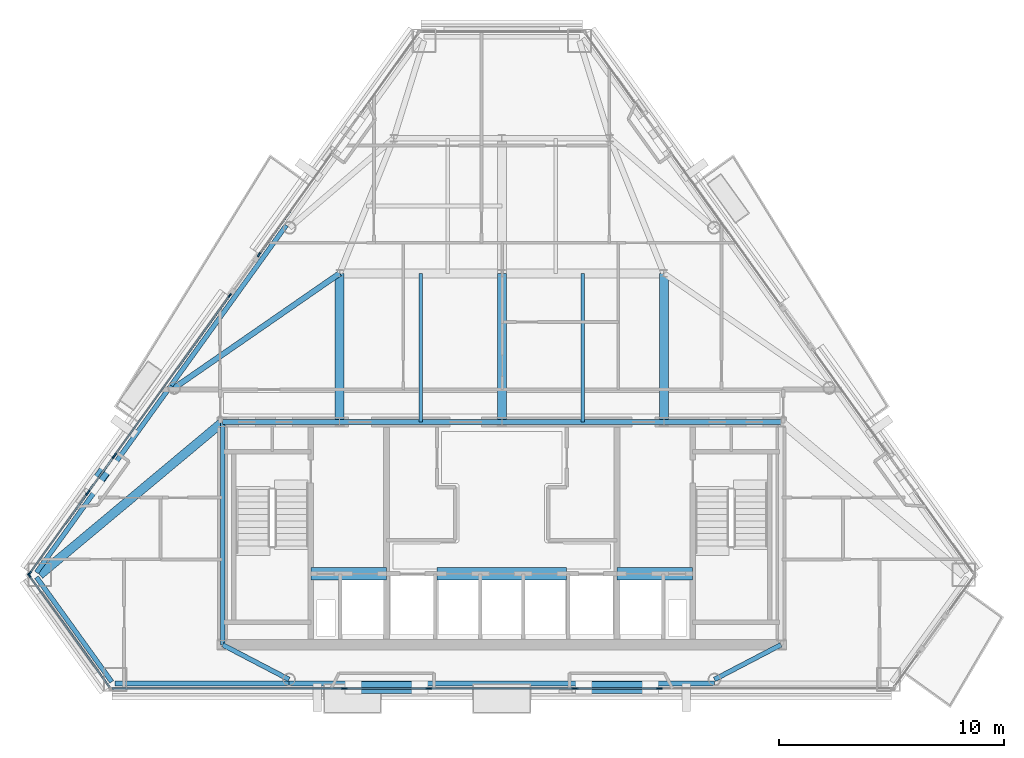
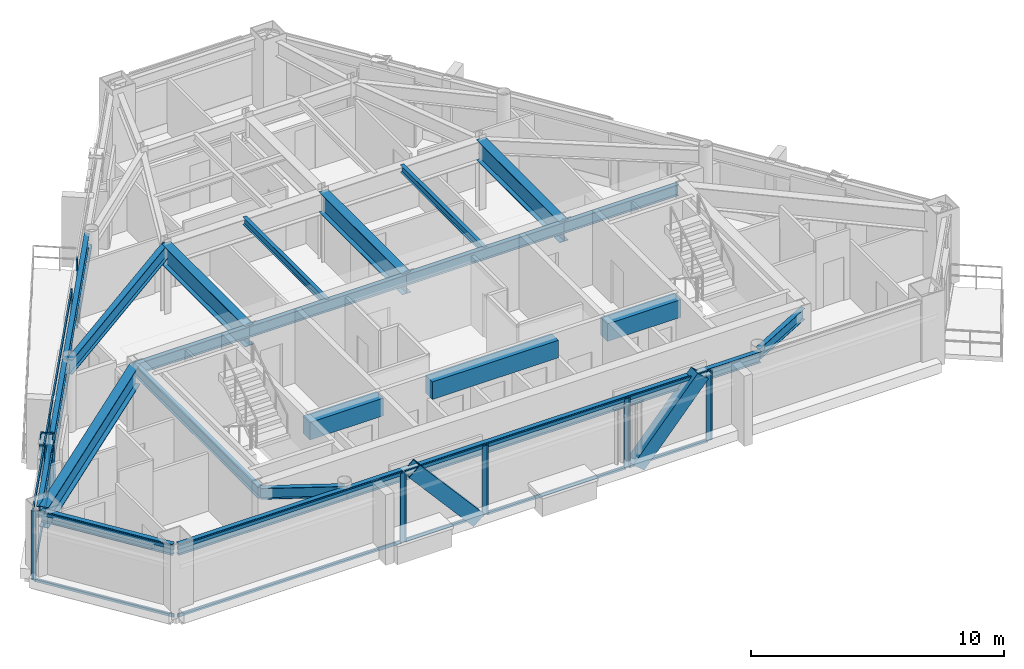
# One storey, part 3 of 12: 36 members, 22 beams, 10 elements without a shape of their own.
"""IFC4 building model written with IfcOpenShell, lengths in metres."""

from ifc_helpers import new_model, si_unit, direction, frame, origin, origin_2d, place, context, subcontext, project, spatial, rectangle, hollow_rectangle, i_section, extrude, material, layer, layer_set, material_profile, profile_set, type_object, element, aggregate, save


model = new_model("IFC4")

# Units and contexts
model_context = context("Model", 3, precision=1e-05, world=origin(), true_north=direction((0.0, 1.0)))
body_context = subcontext(model_context, "Body", "Model", "MODEL_VIEW")
ifc_project = project(units=[si_unit("LENGTHUNIT", "METRE"), si_unit("AREAUNIT", "SQUARE_METRE"), si_unit("VOLUMEUNIT", "CUBIC_METRE"), si_unit("PLANEANGLEUNIT", "RADIAN"), si_unit("MASSUNIT", "GRAM", prefix="KILO")], contexts=[model_context])

# Site, building, storey
site_placement = place(None, origin())
site = spatial("IfcSite", under=ifc_project, at=site_placement, CompositionType="ELEMENT")
building_placement = place(site_placement, origin())
building = spatial("IfcBuilding", under=site, at=building_placement, Name="Talgorran Terracotta Tower", CompositionType="ELEMENT")
storey_placement = place(building_placement, frame((0.0, 0.0, 192.89990234375)))
storey = spatial("IfcBuildingStorey", under=building, at=storey_placement, Name="L50", CompositionType="ELEMENT", Elevation=192.89990234375)

# Beams
ifc_material_1 = material(Name="Steel Grade 350 (350L0)", Category="steel")
ifc_material_profile_1 = material_profile(ifc_material_1, i_section(OverallWidth=0.39990234375, OverallDepth=1.0, WebThickness=0.01611328125, FlangeThickness=0.031005859375, at=origin_2d()), Name="1000WB296")
ifc_profile_set_1 = profile_set([ifc_material_profile_1], Name="Steel Grade 350 (350L0)")
beam_type_1 = type_object("IfcBeamType", Name="BM_1000WB296", PredefinedType="BEAM", material=ifc_profile_set_1)
for number, where, z_axis, x_axis, name in (
    (1, (-7.199951171875, -4.199951171875, 2.85009765625), (0.0, 1.0, 0.0), (-1.0, 0.0, 0.0), "L50 Floor Girder G01"),
    (2, (0.0, -4.199951171875, 2.85009765625), (0.0, 1.0, 0.0), (-1.0, 0.0, 0.0), "L50 Floor Girder G02"),
    (3, (7.199951171875, -4.199951171875, 2.85009765625), (0.0, 1.0, 0.0), (-1.0, 0.0, 0.0), "L50 Floor Girder G03"),
):
    element("IfcBeam", number, at=place(storey_placement, frame(where, z_axis=z_axis, x_axis=x_axis)), inside=storey, type_object=beam_type_1, Name=name, PredefinedType="BEAM", context=body_context, shape_type="SweptSolid", body=[
        extrude(i_section(OverallWidth=0.39990234375, OverallDepth=1.0, WebThickness=0.01611328125, FlangeThickness=0.031005859375, at=origin_2d()), origin(), (0.0, 0.0, 1.0), 6.599853515625),
    ])
beam_1_placement = place(storey_placement, frame((-12.39990234375, -4.199951171875, 2.85009765625), z_axis=(-0.767197947413, -0.641410406436, 0.0), x_axis=(0.641410406436, -0.767197947413, 0.0)))
element("IfcBeam", 4, at=beam_1_placement, inside=storey, type_object=beam_type_1, Name="L50 Floor Girder G17", PredefinedType="BEAM", context=body_context, shape_type="SweptSolid", body=[
    extrude(i_section(OverallWidth=0.39990234375, OverallDepth=1.0, WebThickness=0.01611328125, FlangeThickness=0.031005859375, at=origin_2d()), origin(), (0.0, 0.0, 1.0), 10.589599609375),
])
ifc_material_2 = material(Name="Steel S355 (300PLUS)", Category="steel")
ifc_material_profile_2 = material_profile(ifc_material_2, i_section(OverallWidth=0.25, OverallDepth=0.699951171875, WebThickness=0.011962890625, FlangeThickness=0.02392578125, at=origin_2d()), Name="700WB150")
ifc_profile_set_2 = profile_set([ifc_material_profile_2], Name="Steel S355 (300PLUS)")
beam_type_2 = type_object("IfcBeamType", Name="BM_700WB150", PredefinedType="BEAM", material=ifc_profile_set_2)
beam_2_placement = place(storey_placement, frame((-7.199951171875, 2.39990234375, 3.0), z_axis=(-0.822270856927, -0.569096334419, 0.0), x_axis=(0.569096334419, -0.822270856927, 0.0)))
element("IfcBeam", 5, at=beam_2_placement, inside=storey, type_object=beam_type_2, Name="L50 Floor Girder G06", PredefinedType="BEAM", context=body_context, shape_type="SweptSolid", body=[
    extrude(i_section(OverallWidth=0.25, OverallDepth=0.699951171875, WebThickness=0.011962890625, FlangeThickness=0.02392578125, at=origin_2d()), origin(), (0.0, 0.0, 1.0), 8.937255859375),
])
ifc_material_3 = material(Name="Concrete C50/60", Category="concrete")
ifc_material_profile_3 = material_profile(ifc_material_3, rectangle(XDim=0.550048828125, YDim=0.85009765625, at=origin_2d()), Name="RCCB550X850")
ifc_profile_set_3 = profile_set([ifc_material_profile_3], Name="Concrete C50/60")
beam_type_3 = type_object("IfcBeamType", Name="BM_CB_550X850", PredefinedType="LINTEL", material=ifc_profile_set_3)
beam_3_placement = place(storey_placement, frame((-8.47998046875, -10.949951171875, 2.925048828125), z_axis=(1.0, 0.0, 0.0), x_axis=(0.0, 1.0, 0.0)))
element("IfcBeam", 6, at=beam_3_placement, inside=storey, type_object=beam_type_3, Name="L50 Core Shear-Wall Coupling Beam CB1", PredefinedType="LINTEL", context=body_context, shape_type="SweptSolid", body=[
    extrude(rectangle(XDim=0.550048828125, YDim=0.85009765625, at=origin_2d()), origin(), (0.0, 0.0, 1.0), 3.35986328125),
])
beam_4_placement = place(storey_placement, frame((-2.8798828125, -10.949951171875, 2.925048828125), z_axis=(1.0, 0.0, 0.0), x_axis=(0.0, 1.0, 0.0)))
element("IfcBeam", 7, at=beam_4_placement, inside=storey, type_object=beam_type_3, Name="L50 Core Shear-Wall Coupling Beam CB2", PredefinedType="LINTEL", context=body_context, shape_type="SweptSolid", body=[
    extrude(rectangle(XDim=0.550048828125, YDim=0.85009765625, at=origin_2d()), origin(), (0.0, 0.0, 1.0), 5.759765625),
])
beam_5_placement = place(storey_placement, frame((5.1201171875, -10.949951171875, 2.925048828125), z_axis=(1.0, 0.0, 0.0), x_axis=(0.0, 1.0, 0.0)))
element("IfcBeam", 8, at=beam_5_placement, inside=storey, type_object=beam_type_3, Name="L50 Core Shear-Wall Coupling Beam CB3", PredefinedType="LINTEL", context=body_context, shape_type="SweptSolid", body=[
    extrude(rectangle(XDim=0.550048828125, YDim=0.85009765625, at=origin_2d()), origin(), (0.0, 0.0, 1.0), 3.35986328125),
])
ifc_material_profile_4 = material_profile(ifc_material_2, i_section(OverallWidth=0.17138671875, OverallDepth=0.355712890625, WebThickness=0.00732421875, FlangeThickness=0.011474609375, at=origin_2d()), Name="360UB50.7")
ifc_profile_set_4 = profile_set([ifc_material_profile_4], Name="Steel S355 (300PLUS)")
beam_type_4 = type_object("IfcBeamType", Name="BM_JS_360UB51", PredefinedType="JOIST", material=ifc_profile_set_4)
for number, where, z_axis, x_axis, name in (
    (9, (-3.60009765625, -4.199951171875, 3.17236328125), (0.0, 1.0, 0.0), (-1.0, 0.0, 0.0), "L50 Secondary Joist J01"),
    (10, (3.60009765625, -4.199951171875, 3.17236328125), (0.0, 1.0, 0.0), (-1.0, 0.0, 0.0), "L50 Secondary Joist J02"),
):
    element("IfcBeam", number, at=place(storey_placement, frame(where, z_axis=z_axis, x_axis=x_axis)), inside=storey, type_object=beam_type_4, Name=name, PredefinedType="JOIST", context=body_context, shape_type="SweptSolid", body=[
        extrude(i_section(OverallWidth=0.17138671875, OverallDepth=0.355712890625, WebThickness=0.00732421875, FlangeThickness=0.011474609375, at=origin_2d()), origin(), (0.0, 0.0, 1.0), 6.599853515625),
    ])
ifc_material_profile_5 = material_profile(ifc_material_2, i_section(OverallWidth=0.209228515625, OverallDepth=0.532958984375, WebThickness=0.01025390625, FlangeThickness=0.015625, at=origin_2d()), Name="530UB92.4")
ifc_profile_set_5 = profile_set([ifc_material_profile_5], Name="Steel S355 (300PLUS)")
beam_type_5 = type_object("IfcBeamType", Name="BM_SP_530UB92", PredefinedType="SPANDREL", material=ifc_profile_set_5)
beam_6_placement = place(storey_placement, frame((-20.670166015625, -11.09716796875, 3.08349609375), z_axis=(0.583989111458, -0.811761490648, 0.0), x_axis=(0.811761490648, 0.583989111458, 0.0)))
element("IfcBeam", 11, at=beam_6_placement, inside=storey, type_object=beam_type_5, Name="L50 Perimeter Spandrel Beam MC1-MC2", PredefinedType="SPANDREL", context=body_context, shape_type="SweptSolid", body=[
    extrude(i_section(OverallWidth=0.209228515625, OverallDepth=0.532958984375, WebThickness=0.01025390625, FlangeThickness=0.015625, at=origin_2d()), origin(), (0.0, 0.0, 1.0), 5.72705078125),
])
beam_7_placement = place(storey_placement, frame((-17.1796875, -15.821044921875, 3.08349609375), z_axis=(1.0, 0.0, 0.0), x_axis=(0.0, 1.0, 0.0)))
element("IfcBeam", 12, at=beam_7_placement, inside=storey, type_object=beam_type_5, Name="L50 Perimeter Spandrel Beam MC2-FC1", PredefinedType="SPANDREL", context=body_context, shape_type="SweptSolid", body=[
    extrude(i_section(OverallWidth=0.209228515625, OverallDepth=0.532958984375, WebThickness=0.01025390625, FlangeThickness=0.015625, at=origin_2d()), origin(), (0.0, 0.0, 1.0), 7.73095703125),
])
beam_8_placement = place(storey_placement, frame((-9.44873046875, -15.821044921875, 3.08349609375), z_axis=(1.0, 0.0, 0.0), x_axis=(0.0, 1.0, 0.0)))
element("IfcBeam", 13, at=beam_8_placement, inside=storey, type_object=beam_type_5, Name="L50 Perimeter Spandrel Beam FC1-FC2", PredefinedType="SPANDREL", context=body_context, shape_type="SweptSolid", body=[
    extrude(i_section(OverallWidth=0.209228515625, OverallDepth=0.532958984375, WebThickness=0.01025390625, FlangeThickness=0.015625, at=origin_2d()), origin(), (0.0, 0.0, 1.0), 18.8974609375),
])
beam_9_placement = place(storey_placement, frame((-9.573486328125, 4.5380859375, 3.08349609375), z_axis=(-0.583976142064, -0.811770820799, 0.0), x_axis=(0.811770820799, -0.583976142064, 0.0)))
element("IfcBeam", 14, at=beam_9_placement, inside=storey, type_object=beam_type_5, Name="L50 Perimeter Spandrel Beam FC5-FC6", PredefinedType="SPANDREL", context=body_context, shape_type="SweptSolid", body=[
    extrude(i_section(OverallWidth=0.209228515625, OverallDepth=0.532958984375, WebThickness=0.01025390625, FlangeThickness=0.015625, at=origin_2d()), origin(), (0.0, 0.0, 1.0), 8.770263671875),
])
beam_10_placement = place(storey_placement, frame((-14.695068359375, -2.581298828125, 3.08349609375), z_axis=(-0.583984097587, -0.811765097651, 0.0), x_axis=(0.811765097651, -0.583984097587, 0.0)))
element("IfcBeam", 15, at=beam_10_placement, inside=storey, type_object=beam_type_5, Name="L50 Perimeter Spandrel Beam FC6-MC1", PredefinedType="SPANDREL", context=body_context, shape_type="SweptSolid", body=[
    extrude(i_section(OverallWidth=0.209228515625, OverallDepth=0.532958984375, WebThickness=0.01025390625, FlangeThickness=0.015625, at=origin_2d()), origin(), (0.0, 0.0, 1.0), 10.231689453125),
])
for number, where, z_axis, x_axis, name in (
    (16, (-9.44873046875, -15.64111328125, 3.08349609375), (-0.886427890303, 0.462866714394, 0.0), (-0.462866714394, -0.886427890303, 0.0), "L50 South-West Core Tie Beam"),
    (17, (12.39990234375, -14.10009765625, 3.08349609375), (-0.886427890303, -0.462866714394, 0.0), (0.462866714394, -0.886427890303, 0.0), "L50 South-East Core Tie Beam"),
):
    element("IfcBeam", number, at=place(storey_placement, frame(where, z_axis=z_axis, x_axis=x_axis)), inside=storey, type_object=beam_type_5, Name=name, PredefinedType="SPANDREL", context=body_context, shape_type="SweptSolid", body=[
        extrude(i_section(OverallWidth=0.209228515625, OverallDepth=0.532958984375, WebThickness=0.01025390625, FlangeThickness=0.015625, at=origin_2d()), origin(), (0.0, 0.0, 1.0), 3.329345703125),
    ])
beam_11_placement = place(storey_placement, frame((-12.39990234375, -14.10009765625, 3.08349609375), z_axis=(0.0, 1.0, 0.0), x_axis=(-1.0, 0.0, 0.0)))
element("IfcBeam", 18, at=beam_11_placement, inside=storey, type_object=beam_type_5, Name="L50 Core Frame Beam CFW", PredefinedType="SPANDREL", context=body_context, shape_type="SweptSolid", body=[
    extrude(i_section(OverallWidth=0.209228515625, OverallDepth=0.532958984375, WebThickness=0.01025390625, FlangeThickness=0.015625, at=origin_2d()), origin(), (0.0, 0.0, 1.0), 9.900146484375),
])
beam_12_placement = place(storey_placement, frame((-12.39990234375, -4.199951171875, 3.08349609375), z_axis=(1.0, 0.0, 0.0), x_axis=(0.0, 1.0, 0.0)))
element("IfcBeam", 19, at=beam_12_placement, inside=storey, type_object=beam_type_5, Name="L50 Core Frame Beam CFN1", PredefinedType="SPANDREL", context=body_context, shape_type="SweptSolid", body=[
    extrude(i_section(OverallWidth=0.209228515625, OverallDepth=0.532958984375, WebThickness=0.01025390625, FlangeThickness=0.015625, at=origin_2d()), origin(), (0.0, 0.0, 1.0), 5.199951171875),
])
for number, where, z_axis, x_axis, name in (
    (20, (-7.199951171875, -4.199951171875, 3.08349609375), (1.0, 0.0, 0.0), (0.0, 1.0, 0.0), "L50 Core Frame Beam CFN2"),
    (21, (0.0, -4.199951171875, 3.08349609375), (1.0, 0.0, 0.0), (0.0, 1.0, 0.0), "L50 Core Frame Beam CFN3"),
):
    element("IfcBeam", number, at=place(storey_placement, frame(where, z_axis=z_axis, x_axis=x_axis)), inside=storey, type_object=beam_type_5, Name=name, PredefinedType="SPANDREL", context=body_context, shape_type="SweptSolid", body=[
        extrude(i_section(OverallWidth=0.209228515625, OverallDepth=0.532958984375, WebThickness=0.01025390625, FlangeThickness=0.015625, at=origin_2d()), origin(), (0.0, 0.0, 1.0), 7.199951171875),
    ])
beam_13_placement = place(storey_placement, frame((7.199951171875, -4.199951171875, 3.08349609375), z_axis=(1.0, 0.0, 0.0), x_axis=(0.0, 1.0, 0.0)))
element("IfcBeam", 22, at=beam_13_placement, inside=storey, type_object=beam_type_5, Name="L50 Core Frame Beam CFN4", PredefinedType="SPANDREL", context=body_context, shape_type="SweptSolid", body=[
    extrude(i_section(OverallWidth=0.209228515625, OverallDepth=0.532958984375, WebThickness=0.01025390625, FlangeThickness=0.015625, at=origin_2d()), origin(), (0.0, 0.0, 1.0), 5.199951171875),
])

# Members
ifc_material_profile_6 = material_profile(ifc_material_1, hollow_rectangle(XDim=0.52001953125, YDim=0.659912109375, WallThickness=0.034912109375, at=origin_2d()), Name="WBOX660X520X35")
ifc_profile_set_6 = profile_set([ifc_material_profile_6], Name="Steel Grade 350 (350L0)")
member_type_1 = type_object("IfcMemberType", Name="MB_MEGA_660", PredefinedType="BRACE", material=ifc_profile_set_6)
for number, where, z_axis, x_axis, name in (
    (23, (-3.646484375, -16.001220703125, -0.02490234375), (-0.655605307056, 0.0, 0.755103755361), (0.0, -1.0, 0.0), "L50 Exterior Face Mega-Brace MB-3 (SWF)"),
    (24, (3.646484375, -16.001220703125, -0.02490234375), (0.655605307056, 0.0, 0.755103755361), (0.0, 1.0, 0.0), "L50 Exterior Face Mega-Brace MB-3 (SEF)"),
):
    element("IfcMember", number, at=place(storey_placement, frame(where, z_axis=z_axis, x_axis=x_axis)), inside=storey, type_object=member_type_1, Name=name, PredefinedType="BRACE", context=body_context, shape_type="SweptSolid", body=[
        extrude(hollow_rectangle(XDim=0.52001953125, YDim=0.659912109375, WallThickness=0.034912109375, at=origin_2d()), origin(), (0.0, 0.0, 1.0), 4.50244140625),
    ])
member_1_placement = place(storey_placement, frame((-17.449462890625, -6.1015625, -0.02490234375), z_axis=(-0.179509082132, -0.249481408018, 0.951596299113), x_axis=(0.811715631189, -0.584052852132, 0.0)))
element("IfcMember", 25, at=member_1_placement, inside=storey, type_object=member_type_1, Name="L50 Exterior Face Mega-Brace MB-3 (NWL)", PredefinedType="BRACE", context=body_context, shape_type="SweptSolid", body=[
    extrude(hollow_rectangle(XDim=0.52001953125, YDim=0.659912109375, WallThickness=0.034912109375, at=origin_2d()), origin(), (0.0, 0.0, 1.0), 3.57275390625),
])

# Curtain wall, member
ifc_material_4 = material(Name="High-Wind Unitised Glazing", Category="glass")
ifc_layer = layer(ifc_material_4, 0.2099609375, Name="CW_SYS3_RES_HIGH")
ifc_layer_set = layer_set([ifc_layer], Name="High-Wind Unitised Glazing")
curtain_wall_type = type_object("IfcCurtainWallType", Name="CW_SYS3_RES_HIGH", PredefinedType="NOTDEFINED", material=ifc_layer_set)
curtain_wall_1_placement = place(storey_placement, origin())
curtain_wall_1 = element("IfcCurtainWall", 26, at=curtain_wall_1_placement, inside=storey, type_object=curtain_wall_type, Name="CW-L50-F0", PredefinedType="NOTDEFINED")
ifc_material_5 = material(Name="Architectural Aluminium 6063-T6", Category="aluminium")
ifc_material_profile_7 = material_profile(ifc_material_5, rectangle(XDim=0.070068359375, YDim=0.199951171875, at=origin_2d()), Name="CWM70X200")
ifc_profile_set_7 = profile_set([ifc_material_profile_7], Name="Architectural Aluminium 6063-T6")
member_type_2 = type_object("IfcMemberType", Name="MUL_70X200", PredefinedType="MULLION", material=ifc_profile_set_7)
member_2_placement = place(storey_placement, frame((-20.99658203125, -11.0205078125, 0.0), z_axis=(0.0, 0.0, 1.0), x_axis=(0.811769090011, 0.583978547982, 0.0)))
member_2 = element("IfcMember", 27, at=member_2_placement, type_object=member_type_2, Name="CW-L50-0 mullion 1", PredefinedType="MULLION", context=body_context, shape_type="SweptSolid", body=[
    extrude(rectangle(XDim=0.070068359375, YDim=0.199951171875, at=origin_2d()), origin(), (0.0, 0.0, 1.0), 3.35009765625),
])

curtain_wall_2_placement = place(storey_placement, origin())
curtain_wall_2 = element("IfcCurtainWall", 28, at=curtain_wall_2_placement, inside=storey, type_object=curtain_wall_type, Name="CW-L50-F1", PredefinedType="NOTDEFINED")
member_3_placement = place(storey_placement, frame((-7.03759765625, -16.041015625, 0.0), z_axis=(0.0, 0.0, 1.0), x_axis=(0.0, 1.0, 0.0)))
member_3 = element("IfcMember", 29, at=member_3_placement, type_object=member_type_2, Name="CW-L50-1 mullion 2", PredefinedType="MULLION", context=body_context, shape_type="SweptSolid", body=[
    extrude(rectangle(XDim=0.070068359375, YDim=0.199951171875, at=origin_2d()), origin(), (0.0, 0.0, 1.0), 3.35009765625),
])

# Curtain wall, members
curtain_wall_3_placement = place(storey_placement, origin())
curtain_wall_3 = element("IfcCurtainWall", 30, at=curtain_wall_3_placement, inside=storey, type_object=curtain_wall_type, Name="CW-L50-F1B", PredefinedType="NOTDEFINED")
member_4_placement = place(storey_placement, frame((-6.95751953125, -16.041015625, 0.0), z_axis=(0.0, 0.0, 1.0), x_axis=(0.0, 1.0, 0.0)))
member_4 = element("IfcMember", 31, at=member_4_placement, type_object=member_type_2, Name="CW-L50-1B mullion 1", PredefinedType="MULLION", context=body_context, shape_type="SweptSolid", body=[
    extrude(rectangle(XDim=0.070068359375, YDim=0.199951171875, at=origin_2d()), origin(), (0.0, 0.0, 1.0), 3.35009765625),
])
member_5_placement = place(storey_placement, frame((-3.287353515625, -16.041015625, 0.0), z_axis=(0.0, 0.0, 1.0), x_axis=(0.0, 1.0, 0.0)))
member_5 = element("IfcMember", 32, at=member_5_placement, type_object=member_type_2, Name="CW-L50-1B mullion 2", PredefinedType="MULLION", context=body_context, shape_type="SweptSolid", body=[
    extrude(rectangle(XDim=0.070068359375, YDim=0.199951171875, at=origin_2d()), origin(), (0.0, 0.0, 1.0), 3.35009765625),
])

curtain_wall_4_placement = place(storey_placement, origin())
curtain_wall_4 = element("IfcCurtainWall", 33, at=curtain_wall_4_placement, inside=storey, type_object=curtain_wall_type, Name="CW-L50-F1C", PredefinedType="NOTDEFINED")
member_6_placement = place(storey_placement, frame((-3.207275390625, -16.041015625, 0.0), z_axis=(0.0, 0.0, 1.0), x_axis=(0.0, 1.0, 0.0)))
member_6 = element("IfcMember", 34, at=member_6_placement, type_object=member_type_2, Name="CW-L50-1C mullion 1", PredefinedType="MULLION", context=body_context, shape_type="SweptSolid", body=[
    extrude(rectangle(XDim=0.070068359375, YDim=0.199951171875, at=origin_2d()), origin(), (0.0, 0.0, 1.0), 3.35009765625),
])
member_7_placement = place(storey_placement, frame((3.207275390625, -16.041015625, 0.0), z_axis=(0.0, 0.0, 1.0), x_axis=(0.0, 1.0, 0.0)))
member_7 = element("IfcMember", 35, at=member_7_placement, type_object=member_type_2, Name="CW-L50-1C mullion 2", PredefinedType="MULLION", context=body_context, shape_type="SweptSolid", body=[
    extrude(rectangle(XDim=0.070068359375, YDim=0.199951171875, at=origin_2d()), origin(), (0.0, 0.0, 1.0), 3.35009765625),
])

curtain_wall_5_placement = place(storey_placement, origin())
curtain_wall_5 = element("IfcCurtainWall", 36, at=curtain_wall_5_placement, inside=storey, type_object=curtain_wall_type, Name="CW-L50-F1D", PredefinedType="NOTDEFINED")
member_8_placement = place(storey_placement, frame((3.287353515625, -16.041015625, 0.0), z_axis=(0.0, 0.0, 1.0), x_axis=(0.0, 1.0, 0.0)))
member_8 = element("IfcMember", 37, at=member_8_placement, type_object=member_type_2, Name="CW-L50-1D mullion 1", PredefinedType="MULLION", context=body_context, shape_type="SweptSolid", body=[
    extrude(rectangle(XDim=0.070068359375, YDim=0.199951171875, at=origin_2d()), origin(), (0.0, 0.0, 1.0), 3.35009765625),
])
member_9_placement = place(storey_placement, frame((6.95751953125, -16.041015625, 0.0), z_axis=(0.0, 0.0, 1.0), x_axis=(0.0, 1.0, 0.0)))
member_9 = element("IfcMember", 38, at=member_9_placement, type_object=member_type_2, Name="CW-L50-1D mullion 2", PredefinedType="MULLION", context=body_context, shape_type="SweptSolid", body=[
    extrude(rectangle(XDim=0.070068359375, YDim=0.199951171875, at=origin_2d()), origin(), (0.0, 0.0, 1.0), 3.35009765625),
])

# Curtain wall, member
curtain_wall_6_placement = place(storey_placement, origin())
curtain_wall_6 = element("IfcCurtainWall", 39, at=curtain_wall_6_placement, inside=storey, type_object=curtain_wall_type, Name="CW-L50-F1E", PredefinedType="NOTDEFINED")
member_10_placement = place(storey_placement, frame((7.03759765625, -16.041015625, 0.0), z_axis=(0.0, 0.0, 1.0), x_axis=(0.0, 1.0, 0.0)))
member_10 = element("IfcMember", 40, at=member_10_placement, type_object=member_type_2, Name="CW-L50-1E mullion 1", PredefinedType="MULLION", context=body_context, shape_type="SweptSolid", body=[
    extrude(rectangle(XDim=0.070068359375, YDim=0.199951171875, at=origin_2d()), origin(), (0.0, 0.0, 1.0), 3.35009765625),
])
aggregate(curtain_wall_6, [member_10])

curtain_wall_7_placement = place(storey_placement, origin())
curtain_wall_7 = element("IfcCurtainWall", 41, at=curtain_wall_7_placement, inside=storey, type_object=curtain_wall_type, Name="CW-L50-F60C", PredefinedType="NOTDEFINED")
member_11_placement = place(storey_placement, frame((-10.786865234375, 3.228271484375, 0.0), z_axis=(0.0, 0.0, 1.0), x_axis=(0.811759391951, -0.583992028695, 0.0)))
member_11 = element("IfcMember", 42, at=member_11_placement, type_object=member_type_2, Name="CW-L50-60C mullion 2", PredefinedType="MULLION", context=body_context, shape_type="SweptSolid", body=[
    extrude(rectangle(XDim=0.070068359375, YDim=0.199951171875, at=origin_2d()), origin(), (0.0, 0.0, 1.0), 3.35009765625),
])

# Curtain wall, members
curtain_wall_8_placement = place(storey_placement, origin())
curtain_wall_8 = element("IfcCurtainWall", 43, at=curtain_wall_8_placement, inside=storey, type_object=curtain_wall_type, Name="CW-L50-F61", PredefinedType="NOTDEFINED")
member_12_placement = place(storey_placement, frame((-12.089111328125, 1.41796875, 0.0), z_axis=(0.0, 0.0, 1.0), x_axis=(0.811764888643, -0.583984388119, 0.0)))
member_12 = element("IfcMember", 44, at=member_12_placement, type_object=member_type_2, Name="CW-L50-61 mullion 1", PredefinedType="MULLION", context=body_context, shape_type="SweptSolid", body=[
    extrude(rectangle(XDim=0.070068359375, YDim=0.199951171875, at=origin_2d()), origin(), (0.0, 0.0, 1.0), 3.35009765625),
])
member_13_placement = place(storey_placement, frame((-17.1875, -5.669189453125, 0.0), z_axis=(0.0, 0.0, 1.0), x_axis=(0.811764888643, -0.583984388119, 0.0)))
member_13 = element("IfcMember", 45, at=member_13_placement, type_object=member_type_2, Name="CW-L50-61 mullion 2", PredefinedType="MULLION", context=body_context, shape_type="SweptSolid", body=[
    extrude(rectangle(XDim=0.070068359375, YDim=0.199951171875, at=origin_2d()), origin(), (0.0, 0.0, 1.0), 3.35009765625),
])

curtain_wall_9_placement = place(storey_placement, origin())
curtain_wall_9 = element("IfcCurtainWall", 46, at=curtain_wall_9_placement, inside=storey, type_object=curtain_wall_type, Name="CW-L50-F61B", PredefinedType="NOTDEFINED")
member_14_placement = place(storey_placement, frame((-17.234130859375, -5.734130859375, 0.0), z_axis=(0.0, 0.0, 1.0), x_axis=(0.8117751038, -0.583970188323, 0.0)))
member_14 = element("IfcMember", 47, at=member_14_placement, type_object=member_type_2, Name="CW-L50-61B mullion 1", PredefinedType="MULLION", context=body_context, shape_type="SweptSolid", body=[
    extrude(rectangle(XDim=0.070068359375, YDim=0.199951171875, at=origin_2d()), origin(), (0.0, 0.0, 1.0), 3.35009765625),
])
member_15_placement = place(storey_placement, frame((-18.370849609375, -7.31396484375, 0.0), z_axis=(0.0, 0.0, 1.0), x_axis=(0.8117751038, -0.583970188323, 0.0)))
member_15 = element("IfcMember", 48, at=member_15_placement, type_object=member_type_2, Name="CW-L50-61B mullion 2", PredefinedType="MULLION", context=body_context, shape_type="SweptSolid", body=[
    extrude(rectangle(XDim=0.070068359375, YDim=0.199951171875, at=origin_2d()), origin(), (0.0, 0.0, 1.0), 3.35009765625),
])

curtain_wall_10_placement = place(storey_placement, origin())
curtain_wall_10 = element("IfcCurtainWall", 49, at=curtain_wall_10_placement, inside=storey, type_object=curtain_wall_type, Name="CW-L50-F61C", PredefinedType="NOTDEFINED")
member_16_placement = place(storey_placement, frame((-18.41748046875, -7.37890625, 0.0), z_axis=(0.0, 0.0, 1.0), x_axis=(0.811771468705, -0.583975241425, 0.0)))
member_16 = element("IfcMember", 50, at=member_16_placement, type_object=member_type_2, Name="CW-L50-61C mullion 1", PredefinedType="MULLION", context=body_context, shape_type="SweptSolid", body=[
    extrude(rectangle(XDim=0.070068359375, YDim=0.199951171875, at=origin_2d()), origin(), (0.0, 0.0, 1.0), 3.35009765625),
])
member_17_placement = place(storey_placement, frame((-20.97314453125, -10.93115234375, 0.0), z_axis=(0.0, 0.0, 1.0), x_axis=(0.811771468705, -0.583975241425, 0.0)))
member_17 = element("IfcMember", 51, at=member_17_placement, type_object=member_type_2, Name="CW-L50-61C mullion 2", PredefinedType="MULLION", context=body_context, shape_type="SweptSolid", body=[
    extrude(rectangle(XDim=0.070068359375, YDim=0.199951171875, at=origin_2d()), origin(), (0.0, 0.0, 1.0), 3.35009765625),
])

# Member
ifc_material_profile_8 = material_profile(ifc_material_5, rectangle(XDim=0.070068359375, YDim=0.159912109375, at=origin_2d()), Name="CWT70X160")
ifc_profile_set_8 = profile_set([ifc_material_profile_8], Name="Architectural Aluminium 6063-T6")
member_type_3 = type_object("IfcMemberType", Name="TRN_70X160", PredefinedType="USERDEFINED", material=ifc_profile_set_8)
member_18_placement = place(storey_placement, frame((-20.97607421875, -11.048828125, 0.03515625), z_axis=(0.583973578627, -0.811772664892, 0.0), x_axis=(0.811772664892, 0.583973578627, 0.0)))
member_18 = element("IfcMember", 52, at=member_18_placement, type_object=member_type_3, Name="CW-L50-0 transom 1.1", ObjectType="TRANSOM", PredefinedType="USERDEFINED", context=body_context, shape_type="SweptSolid", body=[
    extrude(rectangle(XDim=0.070068359375, YDim=0.159912109375, at=origin_2d()), origin(), (0.0, 0.0, 1.0), 6.080078125),
])

member_19_placement = place(storey_placement, frame((-20.97607421875, -11.048828125, 3.315185546875), z_axis=(0.583973578627, -0.811772664892, 0.0), x_axis=(0.811772664892, 0.583973578627, 0.0)))
member_19 = element("IfcMember", 53, at=member_19_placement, type_object=member_type_3, Name="CW-L50-0 transom 1.2", ObjectType="TRANSOM", PredefinedType="USERDEFINED", context=body_context, shape_type="SweptSolid", body=[
    extrude(rectangle(XDim=0.070068359375, YDim=0.159912109375, at=origin_2d()), origin(), (0.0, 0.0, 1.0), 6.080078125),
])

aggregate(curtain_wall_1, [member_2, member_18, member_19])

member_20_placement = place(storey_placement, frame((-17.314697265625, -16.041015625, 0.03515625), z_axis=(1.0, 0.0, 0.0), x_axis=(0.0, 1.0, 0.0)))
member_20 = element("IfcMember", 54, at=member_20_placement, type_object=member_type_3, Name="CW-L50-1 transom 1.1", ObjectType="TRANSOM", PredefinedType="USERDEFINED", context=body_context, shape_type="SweptSolid", body=[
    extrude(rectangle(XDim=0.070068359375, YDim=0.159912109375, at=origin_2d()), origin(), (0.0, 0.0, 1.0), 10.2421875),
])

member_21_placement = place(storey_placement, frame((-17.314697265625, -16.041015625, 3.315185546875), z_axis=(1.0, 0.0, 0.0), x_axis=(0.0, 1.0, 0.0)))
member_21 = element("IfcMember", 55, at=member_21_placement, type_object=member_type_3, Name="CW-L50-1 transom 1.2", ObjectType="TRANSOM", PredefinedType="USERDEFINED", context=body_context, shape_type="SweptSolid", body=[
    extrude(rectangle(XDim=0.070068359375, YDim=0.159912109375, at=origin_2d()), origin(), (0.0, 0.0, 1.0), 10.2421875),
])

aggregate(curtain_wall_2, [member_3, member_20, member_21])

member_22_placement = place(storey_placement, frame((-6.922607421875, -16.041015625, 0.03515625), z_axis=(1.0, 0.0, 0.0), x_axis=(0.0, 1.0, 0.0)))
member_22 = element("IfcMember", 56, at=member_22_placement, type_object=member_type_3, Name="CW-L50-1B transom 1.1", ObjectType="TRANSOM", PredefinedType="USERDEFINED", context=body_context, shape_type="SweptSolid", body=[
    extrude(rectangle(XDim=0.070068359375, YDim=0.159912109375, at=origin_2d()), origin(), (0.0, 0.0, 1.0), 3.600341796875),
])

member_23_placement = place(storey_placement, frame((-6.922607421875, -16.041015625, 3.315185546875), z_axis=(1.0, 0.0, 0.0), x_axis=(0.0, 1.0, 0.0)))
member_23 = element("IfcMember", 57, at=member_23_placement, type_object=member_type_3, Name="CW-L50-1B transom 1.2", ObjectType="TRANSOM", PredefinedType="USERDEFINED", context=body_context, shape_type="SweptSolid", body=[
    extrude(rectangle(XDim=0.070068359375, YDim=0.159912109375, at=origin_2d()), origin(), (0.0, 0.0, 1.0), 3.600341796875),
])

aggregate(curtain_wall_3, [member_4, member_5, member_22, member_23])

member_24_placement = place(storey_placement, frame((-3.17236328125, -16.041015625, 0.03515625), z_axis=(1.0, 0.0, 0.0), x_axis=(0.0, 1.0, 0.0)))
member_24 = element("IfcMember", 58, at=member_24_placement, type_object=member_type_3, Name="CW-L50-1C transom 1.1", ObjectType="TRANSOM", PredefinedType="USERDEFINED", context=body_context, shape_type="SweptSolid", body=[
    extrude(rectangle(XDim=0.070068359375, YDim=0.159912109375, at=origin_2d()), origin(), (0.0, 0.0, 1.0), 6.3447265625),
])

member_25_placement = place(storey_placement, frame((-3.17236328125, -16.041015625, 3.315185546875), z_axis=(1.0, 0.0, 0.0), x_axis=(0.0, 1.0, 0.0)))
member_25 = element("IfcMember", 59, at=member_25_placement, type_object=member_type_3, Name="CW-L50-1C transom 1.2", ObjectType="TRANSOM", PredefinedType="USERDEFINED", context=body_context, shape_type="SweptSolid", body=[
    extrude(rectangle(XDim=0.070068359375, YDim=0.159912109375, at=origin_2d()), origin(), (0.0, 0.0, 1.0), 6.3447265625),
])

aggregate(curtain_wall_4, [member_6, member_7, member_24, member_25])

member_26_placement = place(storey_placement, frame((3.322265625, -16.041015625, 0.03515625), z_axis=(1.0, 0.0, 0.0), x_axis=(0.0, 1.0, 0.0)))
member_26 = element("IfcMember", 60, at=member_26_placement, type_object=member_type_3, Name="CW-L50-1D transom 1.1", ObjectType="TRANSOM", PredefinedType="USERDEFINED", context=body_context, shape_type="SweptSolid", body=[
    extrude(rectangle(XDim=0.070068359375, YDim=0.159912109375, at=origin_2d()), origin(), (0.0, 0.0, 1.0), 3.600341796875),
])

member_27_placement = place(storey_placement, frame((3.322265625, -16.041015625, 3.315185546875), z_axis=(1.0, 0.0, 0.0), x_axis=(0.0, 1.0, 0.0)))
member_27 = element("IfcMember", 61, at=member_27_placement, type_object=member_type_3, Name="CW-L50-1D transom 1.2", ObjectType="TRANSOM", PredefinedType="USERDEFINED", context=body_context, shape_type="SweptSolid", body=[
    extrude(rectangle(XDim=0.070068359375, YDim=0.159912109375, at=origin_2d()), origin(), (0.0, 0.0, 1.0), 3.600341796875),
])

aggregate(curtain_wall_5, [member_8, member_9, member_26, member_27])

member_28_placement = place(storey_placement, frame((-7.502197265625, 7.794189453125, 0.03515625), z_axis=(-0.583982498556, -0.811766247993, 0.0), x_axis=(0.811766247993, -0.583982498556, 0.0)))
member_28 = element("IfcMember", 62, at=member_28_placement, type_object=member_type_3, Name="CW-L50-60C transom 1.1", ObjectType="TRANSOM", PredefinedType="USERDEFINED", context=body_context, shape_type="SweptSolid", body=[
    extrude(rectangle(XDim=0.070068359375, YDim=0.159912109375, at=origin_2d()), origin(), (0.0, 0.0, 1.0), 5.589599609375),
])

aggregate(curtain_wall_7, [member_11, member_28])

member_29_placement = place(storey_placement, frame((-12.109375, 1.3896484375, 0.03515625), z_axis=(-0.58400541221, -0.81174976348, 0.0), x_axis=(0.81174976348, -0.58400541221, 0.0)))
member_29 = element("IfcMember", 63, at=member_29_placement, type_object=member_type_3, Name="CW-L50-61 transom 1.1", ObjectType="TRANSOM", PredefinedType="USERDEFINED", context=body_context, shape_type="SweptSolid", body=[
    extrude(rectangle(XDim=0.070068359375, YDim=0.159912109375, at=origin_2d()), origin(), (0.0, 0.0, 1.0), 8.66064453125),
])

member_30_placement = place(storey_placement, frame((-12.109375, 1.3896484375, 3.315185546875), z_axis=(-0.58400541221, -0.81174976348, 0.0), x_axis=(0.81174976348, -0.58400541221, 0.0)))
member_30 = element("IfcMember", 64, at=member_30_placement, type_object=member_type_3, Name="CW-L50-61 transom 1.2", ObjectType="TRANSOM", PredefinedType="USERDEFINED", context=body_context, shape_type="SweptSolid", body=[
    extrude(rectangle(XDim=0.070068359375, YDim=0.159912109375, at=origin_2d()), origin(), (0.0, 0.0, 1.0), 8.66064453125),
])

aggregate(curtain_wall_8, [member_12, member_13, member_29, member_30])

member_31_placement = place(storey_placement, frame((-17.254638671875, -5.762451171875, 0.03515625), z_axis=(-0.584016733465, -0.811741618394, 0.0), x_axis=(0.811741618394, -0.584016733465, 0.0)))
member_31 = element("IfcMember", 65, at=member_31_placement, type_object=member_type_3, Name="CW-L50-61B transom 1.1", ObjectType="TRANSOM", PredefinedType="USERDEFINED", context=body_context, shape_type="SweptSolid", body=[
    extrude(rectangle(XDim=0.070068359375, YDim=0.159912109375, at=origin_2d()), origin(), (0.0, 0.0, 1.0), 1.876220703125),
])

member_32_placement = place(storey_placement, frame((-17.254638671875, -5.762451171875, 3.315185546875), z_axis=(-0.584016733465, -0.811741618394, 0.0), x_axis=(0.811741618394, -0.584016733465, 0.0)))
member_32 = element("IfcMember", 66, at=member_32_placement, type_object=member_type_3, Name="CW-L50-61B transom 1.2", ObjectType="TRANSOM", PredefinedType="USERDEFINED", context=body_context, shape_type="SweptSolid", body=[
    extrude(rectangle(XDim=0.070068359375, YDim=0.159912109375, at=origin_2d()), origin(), (0.0, 0.0, 1.0), 1.876220703125),
])

aggregate(curtain_wall_9, [member_14, member_15, member_31, member_32])

member_33_placement = place(storey_placement, frame((-18.43798828125, -7.4072265625, 0.03515625), z_axis=(-0.58397011527, -0.811775156353, 0.0), x_axis=(0.811775156353, -0.58397011527, 0.0)))
member_33 = element("IfcMember", 67, at=member_33_placement, type_object=member_type_3, Name="CW-L50-61C transom 1.1", ObjectType="TRANSOM", PredefinedType="USERDEFINED", context=body_context, shape_type="SweptSolid", body=[
    extrude(rectangle(XDim=0.070068359375, YDim=0.159912109375, at=origin_2d()), origin(), (0.0, 0.0, 1.0), 4.30615234375),
])

member_34_placement = place(storey_placement, frame((-18.43798828125, -7.4072265625, 3.315185546875), z_axis=(-0.58397011527, -0.811775156353, 0.0), x_axis=(0.811775156353, -0.58397011527, 0.0)))
member_34 = element("IfcMember", 68, at=member_34_placement, type_object=member_type_3, Name="CW-L50-61C transom 1.2", ObjectType="TRANSOM", PredefinedType="USERDEFINED", context=body_context, shape_type="SweptSolid", body=[
    extrude(rectangle(XDim=0.070068359375, YDim=0.159912109375, at=origin_2d()), origin(), (0.0, 0.0, 1.0), 4.30615234375),
])

aggregate(curtain_wall_10, [member_16, member_17, member_33, member_34])

save(model, "model.ifc")
